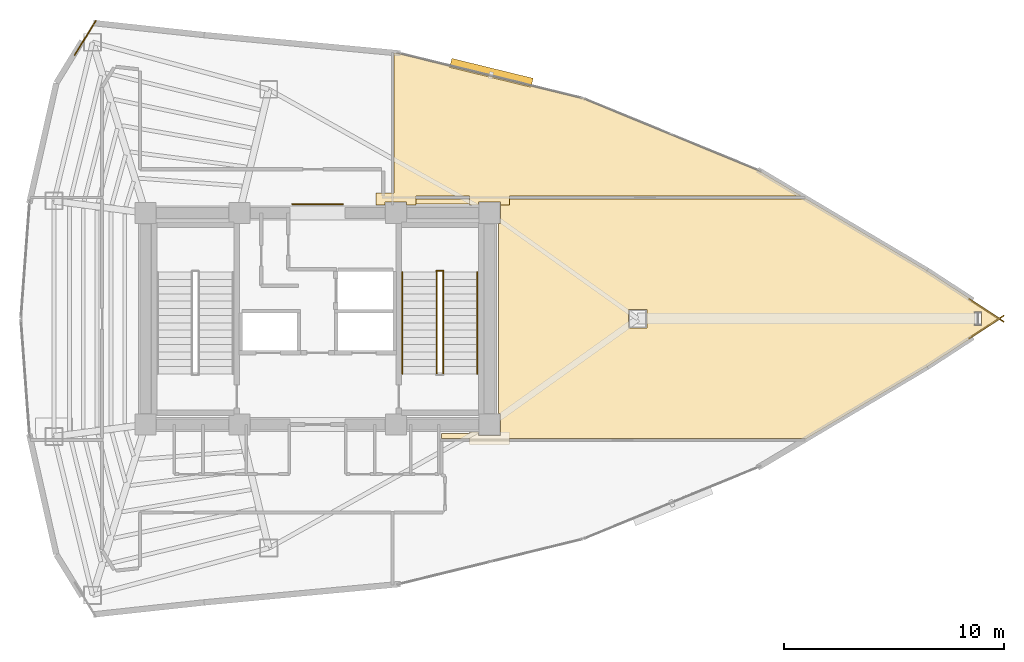
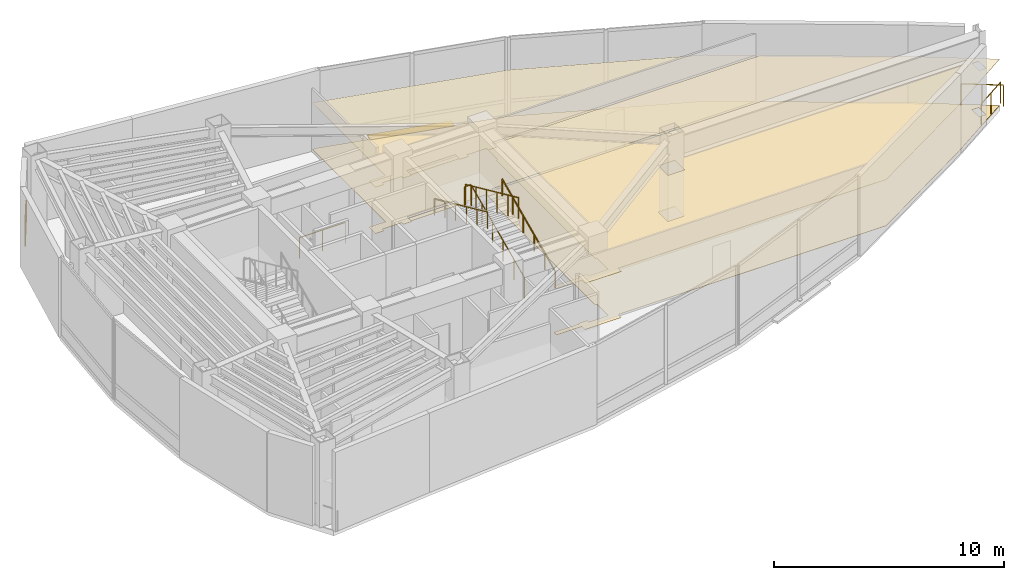
# One storey, part 17 of 17: 9 railings, 4 coverings, 1 shading device.
"""IFC4 building model written with IfcOpenShell, lengths in metres."""

from ifc_helpers import new_model, si_unit, direction, frame, origin, origin_2d, place, context, subcontext, project, spatial, polyline, rectangle, circle, outline, extrude, material, layer, layer_set, type_object, element, save


model = new_model("IFC4")

# Units and contexts
model_context = context("Model", 3, precision=1e-05, world=origin(), true_north=direction((0.0, 1.0)))
body_context = subcontext(model_context, "Body", "Model", "MODEL_VIEW")
ifc_project = project(units=[si_unit("LENGTHUNIT", "METRE"), si_unit("AREAUNIT", "SQUARE_METRE"), si_unit("VOLUMEUNIT", "CUBIC_METRE"), si_unit("PLANEANGLEUNIT", "RADIAN"), si_unit("MASSUNIT", "GRAM", prefix="KILO")], contexts=[model_context])

# Site, building, storey
site_placement = place(None, origin())
site = spatial("IfcSite", under=ifc_project, at=site_placement, CompositionType="ELEMENT")
building_placement = place(site_placement, origin())
building = spatial("IfcBuilding", under=site, at=building_placement, Name="Menara Vayukalpa", CompositionType="ELEMENT")
storey_placement = place(building_placement, frame((0.0, 0.0, 238.139892578125)))
storey = spatial("IfcBuildingStorey", under=building, at=storey_placement, Name="L60", CompositionType="ELEMENT", Elevation=238.139892578125)

# Coverings
ifc_material_1 = material(Name="Mineral Fibre Acoustic Ceiling Tile", Category="masonry")
ifc_layer_1 = layer(ifc_material_1, 0.02490234375)
ifc_layer_set_1 = layer_set([ifc_layer_1], Name="Mineral Fibre Acoustic Ceiling Tile")
covering_type_1 = type_object("IfcCoveringType", Name="COV-CLG1", PredefinedType="CEILING", material=ifc_layer_set_1)
covering_1_placement = place(storey_placement, frame((0.0, 0.0, 2.4501953125)))
element("IfcCovering", 1, at=covering_1_placement, inside=storey, type_object=covering_type_1, Name="L60 Sky Cafe and Refreshment Bar Acoustic Ceiling", PredefinedType="CEILING", context=body_context, shape_type="SweptSolid", body=[
    extrude(outline(polyline([(31.218994140625, 16.56005859375), (31.218017578125, 16.560302734375), (31.217041015625, 16.560302734375), (31.21630859375, 16.560791015625), (31.21533203125, 16.561279296875), (31.21435546875, 16.561767578125), (31.213623046875, 16.562255859375), (31.212890625, 16.56298828125), (31.21240234375, 16.563720703125), (31.211669921875, 16.564453125), (31.211181640625, 16.565185546875), (31.210693359375, 16.566162109375), (31.21044921875, 16.567138671875), (31.210205078125, 16.568115234375), (31.2099609375, 16.569091796875), (31.2099609375, 16.570068359375), (31.2099609375, 16.780029296875), (31.2099609375, 16.781005859375), (31.210205078125, 16.781982421875), (31.21044921875, 16.782958984375), (31.210693359375, 16.78369140625), (31.211181640625, 16.78466796875), (31.211669921875, 16.78564453125), (31.21240234375, 16.786376953125), (31.212890625, 16.787109375), (31.213623046875, 16.78759765625), (31.21435546875, 16.788330078125), (31.21533203125, 16.788818359375), (31.21630859375, 16.789306640625), (31.217041015625, 16.78955078125), (31.218017578125, 16.789794921875), (31.218994140625, 16.7900390625), (31.219970703125, 16.7900390625), (32.489990234375, 16.7900390625), (32.489990234375, 16.85009765625), (32.909912109375, 16.85009765625), (32.909912109375, 16.7099609375), (33.889892578125, 16.7099609375), (33.889892578125, 17.68994140625), (33.81005859375, 17.68994140625), (33.81005859375, 26.31005859375), (33.889892578125, 26.31005859375), (33.889892578125, 27.2900390625), (32.909912109375, 27.2900390625), (32.909912109375, 27.14990234375), (32.489990234375, 27.14990234375), (32.489990234375, 27.2099609375), (30.06005859375, 27.2099609375), (30.06005859375, 27.14990234375), (29.639892578125, 27.14990234375), (29.639892578125, 27.2900390625), (28.659912109375, 27.2900390625), (28.659912109375, 27.14990234375), (28.239990234375, 27.14990234375), (28.239990234375, 27.7099609375), (30.06005859375, 27.7099609375), (30.06005859375, 27.43994140625), (32.489990234375, 27.43994140625), (32.489990234375, 27.7099609375), (34.31005859375, 27.7099609375), (34.31005859375, 27.43994140625), (47.7041015625, 27.43994140625), (47.710205078125, 27.440185546875), (47.7158203125, 27.441162109375), (47.7216796875, 27.442626953125), (47.72705078125, 27.444580078125), (47.732421875, 27.447021484375), (47.738037109375, 27.450439453125), (47.738525390625, 27.45068359375), (47.73876953125, 27.45068359375), (47.73974609375, 27.451171875), (47.74072265625, 27.45166015625), (47.74169921875, 27.451904296875), (47.74267578125, 27.451904296875), (47.74365234375, 27.451904296875), (47.74462890625, 27.451904296875), (47.74560546875, 27.45166015625), (47.74658203125, 27.451416015625), (47.74755859375, 27.450927734375), (47.748291015625, 27.450439453125), (53.258056640625, 24.175537109375), (53.25830078125, 24.17529296875), (56.583740234375, 22.00830078125), (56.58447265625, 22.0078125), (56.585205078125, 22.007080078125), (56.5859375, 22.00634765625), (56.58642578125, 22.005615234375), (56.5869140625, 22.0048828125), (56.58740234375, 22.00390625), (56.587890625, 22.0029296875), (56.587890625, 22.001953125), (56.588134765625, 22.0009765625), (56.588134765625, 22.0), (56.588134765625, 21.9990234375), (56.587890625, 21.998046875), (56.587890625, 21.9970703125), (56.58740234375, 21.99609375), (56.5869140625, 21.9951171875), (56.58642578125, 21.994384765625), (56.5859375, 21.99365234375), (56.585205078125, 21.992919921875), (56.58447265625, 21.9921875), (56.583740234375, 21.99169921875), (53.25830078125, 19.82470703125), (53.258056640625, 19.824462890625), (47.748291015625, 16.549560546875), (47.74755859375, 16.549072265625), (47.74658203125, 16.548583984375), (47.74560546875, 16.54833984375), (47.74462890625, 16.548095703125), (47.74365234375, 16.548095703125), (47.74267578125, 16.548095703125), (47.74169921875, 16.548095703125), (47.74072265625, 16.54833984375), (47.73974609375, 16.548828125), (47.73876953125, 16.54931640625), (47.738525390625, 16.54931640625), (47.738037109375, 16.549560546875), (47.732421875, 16.552978515625), (47.72705078125, 16.555419921875), (47.7216796875, 16.557373046875), (47.7158203125, 16.558837890625), (47.710205078125, 16.559814453125), (47.7041015625, 16.56005859375), (34.31005859375, 16.56005859375), (34.31005859375, 16.2900390625), (32.489990234375, 16.2900390625), (32.489990234375, 16.56005859375), (31.219970703125, 16.56005859375), (31.218994140625, 16.56005859375)]), holes=[polyline([(40.536865234375, 22.4150390625), (39.706787109375, 22.4150390625), (39.706787109375, 21.5849609375), (40.536865234375, 21.5849609375), (40.536865234375, 22.4150390625)]), polyline([(55.729736328125, 22.30908203125), (55.39990234375, 22.30908203125), (55.39990234375, 21.69091796875), (55.729736328125, 21.69091796875), (55.729736328125, 22.30908203125)])]), origin(), (0.0, 0.0, 1.0), 0.02490234375),
])
covering_2_placement = place(storey_placement, frame((0.0, 0.0, 2.4501953125)))
element("IfcCovering", 2, at=covering_2_placement, inside=storey, type_object=covering_type_1, Name="L60 Executive Observation Briefing Room Acoustic Ceiling", PredefinedType="CEILING", context=body_context, shape_type="SweptSolid", body=[
    extrude(outline(polyline([(29.06005859375, 34.046875), (29.06005859375, 34.0478515625), (29.060302734375, 34.048583984375), (29.060302734375, 34.0498046875), (29.060791015625, 34.050537109375), (29.061279296875, 34.051513671875), (29.061767578125, 34.05224609375), (29.062255859375, 34.052978515625), (29.06298828125, 34.053955078125), (29.063720703125, 34.054443359375), (29.064453125, 34.05517578125), (29.065185546875, 34.0556640625), (29.066162109375, 34.055908203125), (29.067138671875, 34.056396484375), (29.068115234375, 34.056640625), (29.069091796875, 34.056640625), (29.070068359375, 34.056884765625), (29.07080078125, 34.056884765625), (29.248291015625, 34.0400390625), (29.249755859375, 34.039794921875), (37.652099609375, 31.982666015625), (37.65283203125, 31.982421875), (37.653564453125, 31.982177734375), (45.655029296875, 28.694580078125), (45.656494140625, 28.694091796875), (47.532958984375, 27.57861328125), (47.53369140625, 27.578125), (47.534423828125, 27.577392578125), (47.53515625, 27.576904296875), (47.535888671875, 27.575927734375), (47.536376953125, 27.5751953125), (47.536865234375, 27.574462890625), (47.537109375, 27.573486328125), (47.53759765625, 27.572509765625), (47.53759765625, 27.57177734375), (47.537841796875, 27.57080078125), (47.537841796875, 27.569580078125), (47.53759765625, 27.56884765625), (47.53759765625, 27.56787109375), (47.537353515625, 27.56689453125), (47.537109375, 27.56591796875), (47.53662109375, 27.565185546875), (47.535888671875, 27.564208984375), (47.535400390625, 27.5634765625), (47.534912109375, 27.562744140625), (47.5341796875, 27.562255859375), (47.533203125, 27.5615234375), (47.532470703125, 27.56103515625), (47.531494140625, 27.560791015625), (47.53076171875, 27.560302734375), (47.52978515625, 27.560302734375), (47.52880859375, 27.56005859375), (47.52783203125, 27.56005859375), (34.31005859375, 27.56005859375), (34.31005859375, 27.14990234375), (33.889892578125, 27.14990234375), (33.889892578125, 27.2900390625), (32.909912109375, 27.2900390625), (32.909912109375, 27.14990234375), (32.489990234375, 27.14990234375), (32.489990234375, 27.56005859375), (30.06005859375, 27.56005859375), (30.06005859375, 27.14990234375), (29.639892578125, 27.14990234375), (29.639892578125, 27.2900390625), (28.659912109375, 27.2900390625), (28.659912109375, 27.14990234375), (28.239990234375, 27.14990234375), (28.239990234375, 27.7099609375), (29.06005859375, 27.7099609375), (29.06005859375, 34.046875)])), origin(), (0.0, 0.0, 1.0), 0.02490234375),
])
ifc_material_2 = material(Name="Porcelain Stoneware Floor Tile", Category="masonry")
ifc_layer_2 = layer(ifc_material_2, 0.02001953125)
ifc_layer_set_2 = layer_set([ifc_layer_2], Name="Porcelain Stoneware Floor Tile")
covering_type_2 = type_object("IfcCoveringType", Name="COV-FLR1", PredefinedType="FLOORING", material=ifc_layer_set_2)
covering_3_placement = place(storey_placement, origin())
element("IfcCovering", 3, at=covering_3_placement, inside=storey, type_object=covering_type_2, Name="L60 Sky Cafe and Refreshment Bar Porcelain Flooring", PredefinedType="FLOORING", context=body_context, shape_type="SweptSolid", body=[
    extrude(outline(polyline([(31.218994140625, 16.56005859375), (31.218017578125, 16.560302734375), (31.217041015625, 16.560302734375), (31.21630859375, 16.560791015625), (31.21533203125, 16.561279296875), (31.21435546875, 16.561767578125), (31.213623046875, 16.562255859375), (31.212890625, 16.56298828125), (31.21240234375, 16.563720703125), (31.211669921875, 16.564453125), (31.211181640625, 16.565185546875), (31.210693359375, 16.566162109375), (31.21044921875, 16.567138671875), (31.210205078125, 16.568115234375), (31.2099609375, 16.569091796875), (31.2099609375, 16.570068359375), (31.2099609375, 16.780029296875), (31.2099609375, 16.781005859375), (31.210205078125, 16.781982421875), (31.21044921875, 16.782958984375), (31.210693359375, 16.78369140625), (31.211181640625, 16.78466796875), (31.211669921875, 16.78564453125), (31.21240234375, 16.786376953125), (31.212890625, 16.787109375), (31.213623046875, 16.78759765625), (31.21435546875, 16.788330078125), (31.21533203125, 16.788818359375), (31.21630859375, 16.789306640625), (31.217041015625, 16.78955078125), (31.218017578125, 16.789794921875), (31.218994140625, 16.7900390625), (31.219970703125, 16.7900390625), (32.489990234375, 16.7900390625), (32.489990234375, 16.85009765625), (32.909912109375, 16.85009765625), (32.909912109375, 16.7099609375), (33.889892578125, 16.7099609375), (33.889892578125, 17.68994140625), (33.81005859375, 17.68994140625), (33.81005859375, 26.31005859375), (33.889892578125, 26.31005859375), (33.889892578125, 27.2900390625), (32.909912109375, 27.2900390625), (32.909912109375, 27.14990234375), (32.489990234375, 27.14990234375), (32.489990234375, 27.2099609375), (30.06005859375, 27.2099609375), (30.06005859375, 27.14990234375), (29.639892578125, 27.14990234375), (29.639892578125, 27.2900390625), (28.659912109375, 27.2900390625), (28.659912109375, 27.14990234375), (28.239990234375, 27.14990234375), (28.239990234375, 27.7099609375), (30.06005859375, 27.7099609375), (30.06005859375, 27.43994140625), (32.489990234375, 27.43994140625), (32.489990234375, 27.7099609375), (34.31005859375, 27.7099609375), (34.31005859375, 27.43994140625), (47.7041015625, 27.43994140625), (47.710205078125, 27.440185546875), (47.7158203125, 27.441162109375), (47.7216796875, 27.442626953125), (47.72705078125, 27.444580078125), (47.732421875, 27.447021484375), (47.738037109375, 27.450439453125), (47.738525390625, 27.45068359375), (47.73876953125, 27.45068359375), (47.73974609375, 27.451171875), (47.74072265625, 27.45166015625), (47.74169921875, 27.451904296875), (47.74267578125, 27.451904296875), (47.74365234375, 27.451904296875), (47.74462890625, 27.451904296875), (47.74560546875, 27.45166015625), (47.74658203125, 27.451416015625), (47.74755859375, 27.450927734375), (47.748291015625, 27.450439453125), (53.258056640625, 24.175537109375), (53.25830078125, 24.17529296875), (56.583740234375, 22.00830078125), (56.58447265625, 22.0078125), (56.585205078125, 22.007080078125), (56.5859375, 22.00634765625), (56.58642578125, 22.005615234375), (56.5869140625, 22.0048828125), (56.58740234375, 22.00390625), (56.587890625, 22.0029296875), (56.587890625, 22.001953125), (56.588134765625, 22.0009765625), (56.588134765625, 22.0), (56.588134765625, 21.9990234375), (56.587890625, 21.998046875), (56.587890625, 21.9970703125), (56.58740234375, 21.99609375), (56.5869140625, 21.9951171875), (56.58642578125, 21.994384765625), (56.5859375, 21.99365234375), (56.585205078125, 21.992919921875), (56.58447265625, 21.9921875), (56.583740234375, 21.99169921875), (53.25830078125, 19.82470703125), (53.258056640625, 19.824462890625), (47.748291015625, 16.549560546875), (47.74755859375, 16.549072265625), (47.74658203125, 16.548583984375), (47.74560546875, 16.54833984375), (47.74462890625, 16.548095703125), (47.74365234375, 16.548095703125), (47.74267578125, 16.548095703125), (47.74169921875, 16.548095703125), (47.74072265625, 16.54833984375), (47.73974609375, 16.548828125), (47.73876953125, 16.54931640625), (47.738525390625, 16.54931640625), (47.738037109375, 16.549560546875), (47.732421875, 16.552978515625), (47.72705078125, 16.555419921875), (47.7216796875, 16.557373046875), (47.7158203125, 16.558837890625), (47.710205078125, 16.559814453125), (47.7041015625, 16.56005859375), (34.31005859375, 16.56005859375), (34.31005859375, 16.2900390625), (32.489990234375, 16.2900390625), (32.489990234375, 16.56005859375), (31.219970703125, 16.56005859375), (31.218994140625, 16.56005859375)]), holes=[polyline([(40.536865234375, 22.4150390625), (39.706787109375, 22.4150390625), (39.706787109375, 21.5849609375), (40.536865234375, 21.5849609375), (40.536865234375, 22.4150390625)]), polyline([(55.729736328125, 22.30908203125), (55.39990234375, 22.30908203125), (55.39990234375, 21.69091796875), (55.729736328125, 21.69091796875), (55.729736328125, 22.30908203125)])]), origin(), (0.0, 0.0, 1.0), 0.02001953125),
])
covering_4_placement = place(storey_placement, origin())
element("IfcCovering", 4, at=covering_4_placement, inside=storey, type_object=covering_type_2, Name="L60 Executive Observation Briefing Room Porcelain Flooring", PredefinedType="FLOORING", context=body_context, shape_type="SweptSolid", body=[
    extrude(outline(polyline([(29.06005859375, 34.046875), (29.06005859375, 34.0478515625), (29.060302734375, 34.048583984375), (29.060302734375, 34.0498046875), (29.060791015625, 34.050537109375), (29.061279296875, 34.051513671875), (29.061767578125, 34.05224609375), (29.062255859375, 34.052978515625), (29.06298828125, 34.053955078125), (29.063720703125, 34.054443359375), (29.064453125, 34.05517578125), (29.065185546875, 34.0556640625), (29.066162109375, 34.055908203125), (29.067138671875, 34.056396484375), (29.068115234375, 34.056640625), (29.069091796875, 34.056640625), (29.070068359375, 34.056884765625), (29.07080078125, 34.056884765625), (29.248291015625, 34.0400390625), (29.249755859375, 34.039794921875), (37.652099609375, 31.982666015625), (37.65283203125, 31.982421875), (37.653564453125, 31.982177734375), (45.655029296875, 28.694580078125), (45.656494140625, 28.694091796875), (47.532958984375, 27.57861328125), (47.53369140625, 27.578125), (47.534423828125, 27.577392578125), (47.53515625, 27.576904296875), (47.535888671875, 27.575927734375), (47.536376953125, 27.5751953125), (47.536865234375, 27.574462890625), (47.537109375, 27.573486328125), (47.53759765625, 27.572509765625), (47.53759765625, 27.57177734375), (47.537841796875, 27.57080078125), (47.537841796875, 27.569580078125), (47.53759765625, 27.56884765625), (47.53759765625, 27.56787109375), (47.537353515625, 27.56689453125), (47.537109375, 27.56591796875), (47.53662109375, 27.565185546875), (47.535888671875, 27.564208984375), (47.535400390625, 27.5634765625), (47.534912109375, 27.562744140625), (47.5341796875, 27.562255859375), (47.533203125, 27.5615234375), (47.532470703125, 27.56103515625), (47.531494140625, 27.560791015625), (47.53076171875, 27.560302734375), (47.52978515625, 27.560302734375), (47.52880859375, 27.56005859375), (47.52783203125, 27.56005859375), (34.31005859375, 27.56005859375), (34.31005859375, 27.14990234375), (33.889892578125, 27.14990234375), (33.889892578125, 27.2900390625), (32.909912109375, 27.2900390625), (32.909912109375, 27.14990234375), (32.489990234375, 27.14990234375), (32.489990234375, 27.56005859375), (30.06005859375, 27.56005859375), (30.06005859375, 27.14990234375), (29.639892578125, 27.14990234375), (29.639892578125, 27.2900390625), (28.659912109375, 27.2900390625), (28.659912109375, 27.14990234375), (28.239990234375, 27.14990234375), (28.239990234375, 27.7099609375), (29.06005859375, 27.7099609375), (29.06005859375, 34.046875)])), origin(), (0.0, 0.0, 1.0), 0.02001953125),
])

# Railings
ifc_material_3 = material(Name="Laminated Glass Interior Balustrade", Category="glass")
railing_type_1 = type_object("IfcRailingType", Name="RLG-BAL110", PredefinedType="BALUSTRADE", material=ifc_material_3)
railing_1_placement = place(storey_placement, frame((24.449951171875, 27.199951171875, 0.0)))
element("IfcRailing", 5, at=railing_1_placement, inside=storey, type_object=railing_type_1, Name="L60 Concourse Feature Glass Balustrade", PredefinedType="BALUSTRADE", context=body_context, shape_type="SweptSolid", body=[
    extrude(circle(Radius=0.02392578125, at=origin_2d()), frame((0.0, 0.0, 1.09619140625), z_axis=(1.0, 0.0, 0.0), x_axis=(0.0, 1.0, 0.0)), (0.0, 0.0, 1.0), 2.300048828125),
    extrude(circle(Radius=0.02099609375, at=origin_2d()), origin(), (0.0, 0.0, 1.0), 1.072021484375),
    extrude(circle(Radius=0.02099609375, at=origin_2d()), frame((1.14990234375, 0.0, 0.0)), (0.0, 0.0, 1.0), 1.072021484375),
    extrude(circle(Radius=0.02099609375, at=origin_2d()), frame((2.300048828125, 0.0, 0.0)), (0.0, 0.0, 1.0), 1.072021484375),
])
ifc_material_4 = material(Name="Laminated Glass and Stainless Steel 316 Guardrail", Category="steel")
railing_type_2 = type_object("IfcRailingType", Name="RLG-EXT115", PredefinedType="GUARDRAIL", material=ifc_material_4)
railing_2_placement = place(storey_placement, frame((55.16845703125, 21.1171875, 0.0)))
element("IfcRailing", 6, at=railing_2_placement, inside=storey, type_object=railing_type_2, Name="L60 Column Corner Spandrel Guardrail 01-1", PredefinedType="GUARDRAIL", context=body_context, shape_type="SweptSolid", body=[
    extrude(circle(Radius=0.02392578125, at=origin_2d()), frame((0.0, 0.0, 1.1259765625), z_axis=(0.837859407663, 0.545886080598, 0.0), x_axis=(-0.545886080598, 0.837859407663, 0.0)), (0.0, 0.0, 1.0), 1.853759765625),
    extrude(circle(Radius=0.02099609375, at=origin_2d()), origin(), (0.0, 0.0, 1.0), 1.101806640625),
    extrude(circle(Radius=0.02099609375, at=origin_2d()), frame((0.776611328125, 0.505859375, 0.0)), (0.0, 0.0, 1.0), 1.101806640625),
    extrude(circle(Radius=0.02099609375, at=origin_2d()), frame((1.55322265625, 1.011962890625, 0.0)), (0.0, 0.0, 1.0), 1.101806640625),
])
railing_3_placement = place(storey_placement, frame((56.7216796875, 21.870849609375, 0.0)))
element("IfcRailing", 7, at=railing_3_placement, inside=storey, type_object=railing_type_2, Name="L60 Column Corner Spandrel Guardrail 02-1", PredefinedType="GUARDRAIL", context=body_context, shape_type="SweptSolid", body=[
    extrude(circle(Radius=0.02392578125, at=origin_2d()), frame((0.0, 0.0, 1.1259765625), z_axis=(-0.837859407663, 0.545886080598, 0.0), x_axis=(-0.545886080598, -0.837859407663, 0.0)), (0.0, 0.0, 1.0), 1.853759765625),
    extrude(circle(Radius=0.02099609375, at=origin_2d()), origin(), (0.0, 0.0, 1.0), 1.101806640625),
    extrude(circle(Radius=0.02099609375, at=origin_2d()), frame((-0.776611328125, 0.505859375, 0.0)), (0.0, 0.0, 1.0), 1.101806640625),
    extrude(circle(Radius=0.02099609375, at=origin_2d()), frame((-1.55322265625, 1.011962890625, 0.0)), (0.0, 0.0, 1.0), 1.101806640625),
])
railing_4_placement = place(storey_placement, frame((15.5439453125, 35.533447265625, 0.0)))
element("IfcRailing", 8, at=railing_4_placement, inside=storey, type_object=railing_type_2, Name="L60 Column Corner Spandrel Guardrail 08-1", PredefinedType="GUARDRAIL", context=body_context, shape_type="SweptSolid", body=[
    extrude(circle(Radius=0.02392578125, at=origin_2d()), frame((0.0, 0.0, 1.1259765625), z_axis=(-0.523173618921, -0.852226122848, 0.0), x_axis=(0.852226122848, -0.523173618921, 0.0)), (0.0, 0.0, 1.0), 1.84375),
    extrude(circle(Radius=0.02099609375, at=origin_2d()), origin(), (0.0, 0.0, 1.0), 1.101806640625),
    extrude(circle(Radius=0.02099609375, at=origin_2d()), frame((-0.482421875, -0.78564453125, 0.0)), (0.0, 0.0, 1.0), 1.101806640625),
    extrude(circle(Radius=0.02099609375, at=origin_2d()), frame((-0.964599609375, -1.5712890625, 0.0)), (0.0, 0.0, 1.0), 1.101806640625),
])
ifc_material_5 = material(Name="Powder-Coated Galvanised Steel Guardrail", Category="steel")
railing_type_3 = type_object("IfcRailingType", Name="RLG-STG110", PredefinedType="GUARDRAIL", material=ifc_material_5)
railing_5_placement = place(storey_placement, frame((31.300048828125, 19.5, 0.150146484375)))
element("IfcRailing", 9, at=railing_5_placement, inside=storey, type_object=railing_type_3, Name="L60 ST-2 stair guard 1", PredefinedType="GUARDRAIL", context=body_context, shape_type="SweptSolid", body=[
    extrude(circle(Radius=0.02392578125, at=origin_2d()), frame((0.0, 0.0, 1.09619140625), z_axis=(0.0, 0.91038130445, 0.413770323377), x_axis=(-1.0, 0.0, 0.0)), (0.0, 0.0, 1.0), 5.074951171875),
    extrude(circle(Radius=0.02099609375, at=origin_2d()), origin(), (0.0, 0.0, 1.0), 1.072021484375),
    extrude(circle(Radius=0.02099609375, at=origin_2d()), frame((0.0, 0.924072265625, 0.419921875)), (0.0, 0.0, 1.0), 1.072021484375),
    extrude(circle(Radius=0.02099609375, at=origin_2d()), frame((0.0, 1.84814453125, 0.83984375)), (0.0, 0.0, 1.0), 1.072021484375),
    extrude(circle(Radius=0.02099609375, at=origin_2d()), frame((0.0, 2.77197265625, 1.260009765625)), (0.0, 0.0, 1.0), 1.072021484375),
    extrude(circle(Radius=0.02099609375, at=origin_2d()), frame((0.0, 3.696044921875, 1.679931640625)), (0.0, 0.0, 1.0), 1.072021484375),
    extrude(circle(Radius=0.02099609375, at=origin_2d()), frame((0.0, 4.6201171875, 2.099853515625)), (0.0, 0.0, 1.0), 1.072021484375),
])
railing_6_placement = place(storey_placement, frame((31.31005859375, 24.169921875, 2.25)))
element("IfcRailing", 10, at=railing_6_placement, inside=storey, type_object=railing_type_3, Name="L60 ST-2 stair guard 2", PredefinedType="GUARDRAIL", context=body_context, shape_type="SweptSolid", body=[
    extrude(circle(Radius=0.02392578125, at=origin_2d()), frame((0.0, 0.0, 1.09619140625), z_axis=(-1.0, 0.0, 0.0), x_axis=(0.0, -1.0, 0.0)), (0.0, 0.0, 1.0), 0.320068359375),
    extrude(circle(Radius=0.02099609375, at=origin_2d()), origin(), (0.0, 0.0, 1.0), 1.072021484375),
    extrude(circle(Radius=0.02099609375, at=origin_2d()), frame((-0.320068359375, 0.0, 0.0)), (0.0, 0.0, 1.0), 1.072021484375),
])
railing_7_placement = place(storey_placement, frame((31.0, 24.1201171875, 2.400146484375)))
element("IfcRailing", 11, at=railing_7_placement, inside=storey, type_object=railing_type_3, Name="L60 ST-2 stair guard 3", PredefinedType="GUARDRAIL", context=body_context, shape_type="SweptSolid", body=[
    extrude(circle(Radius=0.02392578125, at=origin_2d()), frame((0.0, 0.0, 1.09619140625), z_axis=(0.0, -0.91038130445, 0.413770323377), x_axis=(1.0, 0.0, 0.0)), (0.0, 0.0, 1.0), 5.074951171875),
    extrude(circle(Radius=0.02099609375, at=origin_2d()), origin(), (0.0, 0.0, 1.0), 1.072021484375),
    extrude(circle(Radius=0.02099609375, at=origin_2d()), frame((0.0, -0.924072265625, 0.419921875)), (0.0, 0.0, 1.0), 1.072021484375),
    extrude(circle(Radius=0.02099609375, at=origin_2d()), frame((0.0, -1.84814453125, 0.83984375)), (0.0, 0.0, 1.0), 1.072021484375),
    extrude(circle(Radius=0.02099609375, at=origin_2d()), frame((0.0, -2.77197265625, 1.260009765625)), (0.0, 0.0, 1.0), 1.072021484375),
    extrude(circle(Radius=0.02099609375, at=origin_2d()), frame((0.0, -3.696044921875, 1.679931640625)), (0.0, 0.0, 1.0), 1.072021484375),
    extrude(circle(Radius=0.02099609375, at=origin_2d()), frame((0.0, -4.6201171875, 2.099853515625)), (0.0, 0.0, 1.0), 1.072021484375),
])
ifc_material_6 = material(Name="Stainless Steel 316 Tubular Handrail", Category="steel")
railing_type_4 = type_object("IfcRailingType", Name="RLG-STH090", PredefinedType="HANDRAIL", material=ifc_material_6)
railing_8_placement = place(storey_placement, frame((32.85009765625, 19.5, 0.150146484375)))
element("IfcRailing", 12, at=railing_8_placement, inside=storey, type_object=railing_type_4, Name="L60 ST-2 stair handrail 1", PredefinedType="HANDRAIL", context=body_context, shape_type="SweptSolid", body=[
    extrude(circle(Radius=0.02392578125, at=origin_2d()), frame((0.0, 0.0, 0.8759765625), z_axis=(0.0, 0.91038130445, 0.413770323377), x_axis=(-1.0, 0.0, 0.0)), (0.0, 0.0, 1.0), 5.074951171875),
    extrude(circle(Radius=0.02099609375, at=origin_2d()), origin(), (0.0, 0.0, 1.0), 0.851806640625),
    extrude(circle(Radius=0.02099609375, at=origin_2d()), frame((0.0, 0.924072265625, 0.419921875)), (0.0, 0.0, 1.0), 0.851806640625),
    extrude(circle(Radius=0.02099609375, at=origin_2d()), frame((0.0, 1.84814453125, 0.83984375)), (0.0, 0.0, 1.0), 0.851806640625),
    extrude(circle(Radius=0.02099609375, at=origin_2d()), frame((0.0, 2.77197265625, 1.260009765625)), (0.0, 0.0, 1.0), 0.851806640625),
    extrude(circle(Radius=0.02099609375, at=origin_2d()), frame((0.0, 3.696044921875, 1.679931640625)), (0.0, 0.0, 1.0), 0.851806640625),
    extrude(circle(Radius=0.02099609375, at=origin_2d()), frame((0.0, 4.6201171875, 2.099853515625)), (0.0, 0.0, 1.0), 0.851806640625),
])
railing_9_placement = place(storey_placement, frame((29.449951171875, 24.1201171875, 2.400146484375)))
element("IfcRailing", 13, at=railing_9_placement, inside=storey, type_object=railing_type_4, Name="L60 ST-2 stair handrail 2", PredefinedType="HANDRAIL", context=body_context, shape_type="SweptSolid", body=[
    extrude(circle(Radius=0.02392578125, at=origin_2d()), frame((0.0, 0.0, 0.8759765625), z_axis=(0.0, -0.91038130445, 0.413770323377), x_axis=(1.0, 0.0, 0.0)), (0.0, 0.0, 1.0), 5.074951171875),
    extrude(circle(Radius=0.02099609375, at=origin_2d()), origin(), (0.0, 0.0, 1.0), 0.851806640625),
    extrude(circle(Radius=0.02099609375, at=origin_2d()), frame((0.0, -0.924072265625, 0.419921875)), (0.0, 0.0, 1.0), 0.851806640625),
    extrude(circle(Radius=0.02099609375, at=origin_2d()), frame((0.0, -1.84814453125, 0.83984375)), (0.0, 0.0, 1.0), 0.851806640625),
    extrude(circle(Radius=0.02099609375, at=origin_2d()), frame((0.0, -2.77197265625, 1.260009765625)), (0.0, 0.0, 1.0), 0.851806640625),
    extrude(circle(Radius=0.02099609375, at=origin_2d()), frame((0.0, -3.696044921875, 1.679931640625)), (0.0, 0.0, 1.0), 0.851806640625),
    extrude(circle(Radius=0.02099609375, at=origin_2d()), frame((0.0, -4.6201171875, 2.099853515625)), (0.0, 0.0, 1.0), 0.851806640625),
])

# Shading device
ifc_material_7 = material(Name="Glazed Terracotta Ceramic Baguette Extrusion", Category="masonry")
ifc_layer_3 = layer(ifc_material_7, 0.1201171875)
ifc_layer_set_3 = layer_set([ifc_layer_3], Name="Glazed Terracotta Ceramic Baguette Extrusion")
shading_device_type = type_object("IfcShadingDeviceType", Name="SHD-SS1", PredefinedType="USERDEFINED", material=ifc_layer_set_3)
shading_device_placement = place(storey_placement, frame((33.486572265625, 33.156982421875, -0.099853515625), z_axis=(0.0, 0.0, 1.0), x_axis=(-0.971313023754, 0.237804562373, 0.0)))
element("IfcShadingDevice", 14, at=shading_device_placement, inside=storey, type_object=shading_device_type, Name="L60 Horizontal Terracotta Sunshade Band 05", ObjectType="SUNSHADE", PredefinedType="USERDEFINED", context=body_context, shape_type="SweptSolid", body=[
    extrude(rectangle(XDim=3.800048828125, YDim=0.419921875, at=origin_2d()), origin(), (0.0, 0.0, 1.0), 0.1201171875),
])

save(model, "model.ifc")
